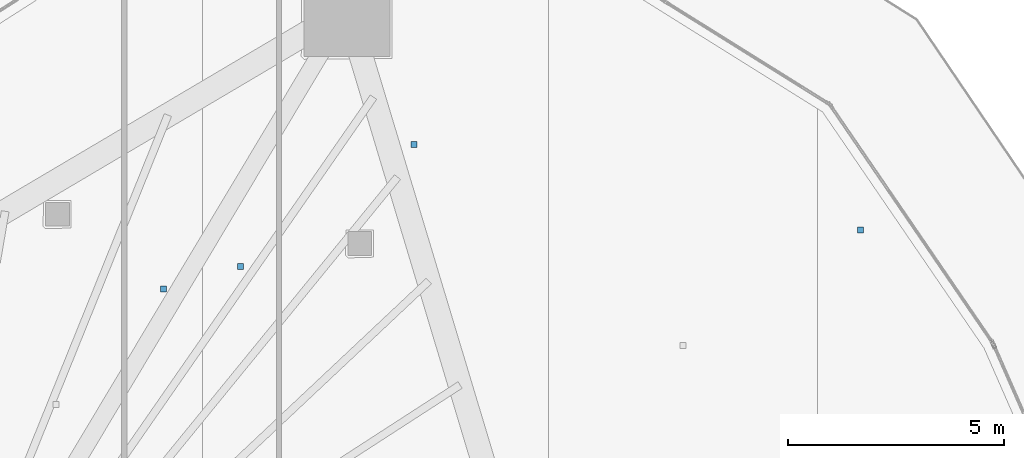
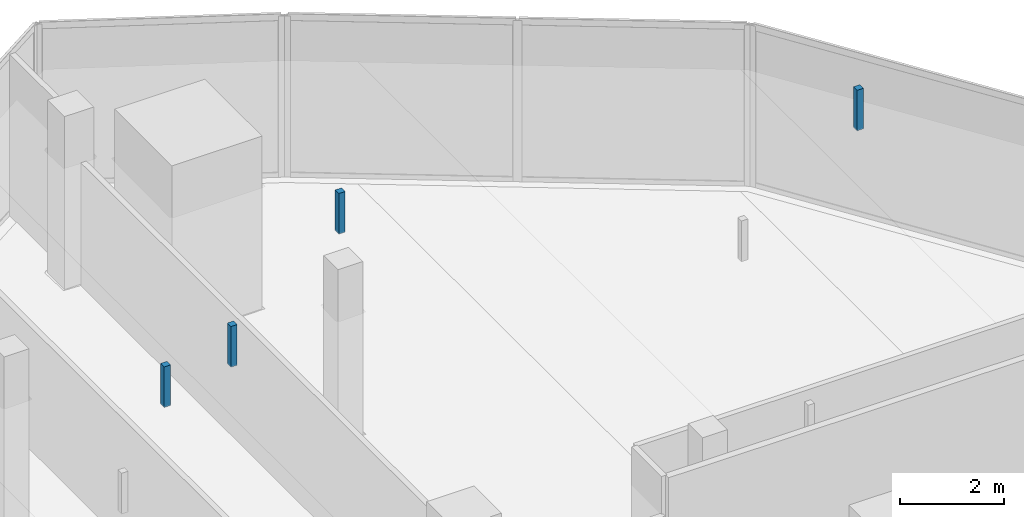
# One storey, part 30 of 38: 4 discrete accessories.
"""IFC4 building model written with IfcOpenShell, lengths in metres."""

from ifc_helpers import new_model, si_unit, direction, frame, origin, origin_2d, place, context, subcontext, project, spatial, rectangle, extrude, material, type_object, element, save


model = new_model("IFC4")

# Units and contexts
model_context = context("Model", 3, precision=1e-05, world=origin(), true_north=direction((0.0, 1.0)))
body_context = subcontext(model_context, "Body", "Model", "MODEL_VIEW")
ifc_project = project(units=[si_unit("LENGTHUNIT", "METRE"), si_unit("AREAUNIT", "SQUARE_METRE"), si_unit("VOLUMEUNIT", "CUBIC_METRE"), si_unit("PLANEANGLEUNIT", "RADIAN"), si_unit("MASSUNIT", "GRAM", prefix="KILO")], contexts=[model_context])

# Site, building, storey
site_placement = place(None, origin())
site = spatial("IfcSite", under=ifc_project, at=site_placement, CompositionType="ELEMENT")
building_placement = place(site_placement, origin())
building = spatial("IfcBuilding", under=site, at=building_placement, Name="Qorvath Tower", CompositionType="ELEMENT")
storey_placement = place(building_placement, frame((0.0, 0.0, 146.25)))
storey = spatial("IfcBuildingStorey", under=building, at=storey_placement, Name="L33", CompositionType="ELEMENT", Elevation=146.25)

# Discrete accessories
ifc_material = material(Name="Galvanised steel bracket", Category="steel")
discrete_accessory_type = type_object("IfcDiscreteAccessoryType", Name="DA-BRACKET", PredefinedType="BRACKET", material=ifc_material)
for number, where, z_axis, x_axis, name in (
    (1, (-19.593017578125, 18.761962890625, 2.85986328125), (0.0, 0.0, 1.0), (1.0, 0.0, 0.0), "Acoustic Ceiling Suspension Hanger T1-L33-016"),
    (2, (-17.810302734375, 19.28955078125, 2.85986328125), (0.0, 0.0, 1.0), (1.0, 0.0, 0.0), "Acoustic Ceiling Suspension Hanger T1-L33-017"),
    (3, (-13.789794921875, 22.11083984375, 2.85986328125), (0.0, 0.0, 1.0), (1.0, 0.0, 0.0), "Acoustic Ceiling Suspension Hanger T1-L33-018"),
    (4, (-3.44921875, 20.129638671875, 2.85986328125), (0.0, 0.0, 1.0), (1.0, 0.0, 0.0), "Acoustic Ceiling Suspension Hanger T1-L33-020"),
):
    element("IfcDiscreteAccessory", number, at=place(storey_placement, frame(where, z_axis=z_axis, x_axis=x_axis)), inside=storey, type_object=discrete_accessory_type, Name=name, PredefinedType="NOTDEFINED", context=body_context, shape_type="SweptSolid", body=[
        extrude(rectangle(XDim=0.139892578125, YDim=0.139892578125, at=origin_2d()), origin(), (0.0, 0.0, 1.0), 0.949951171875),
    ])

save(model, "model.ifc")
